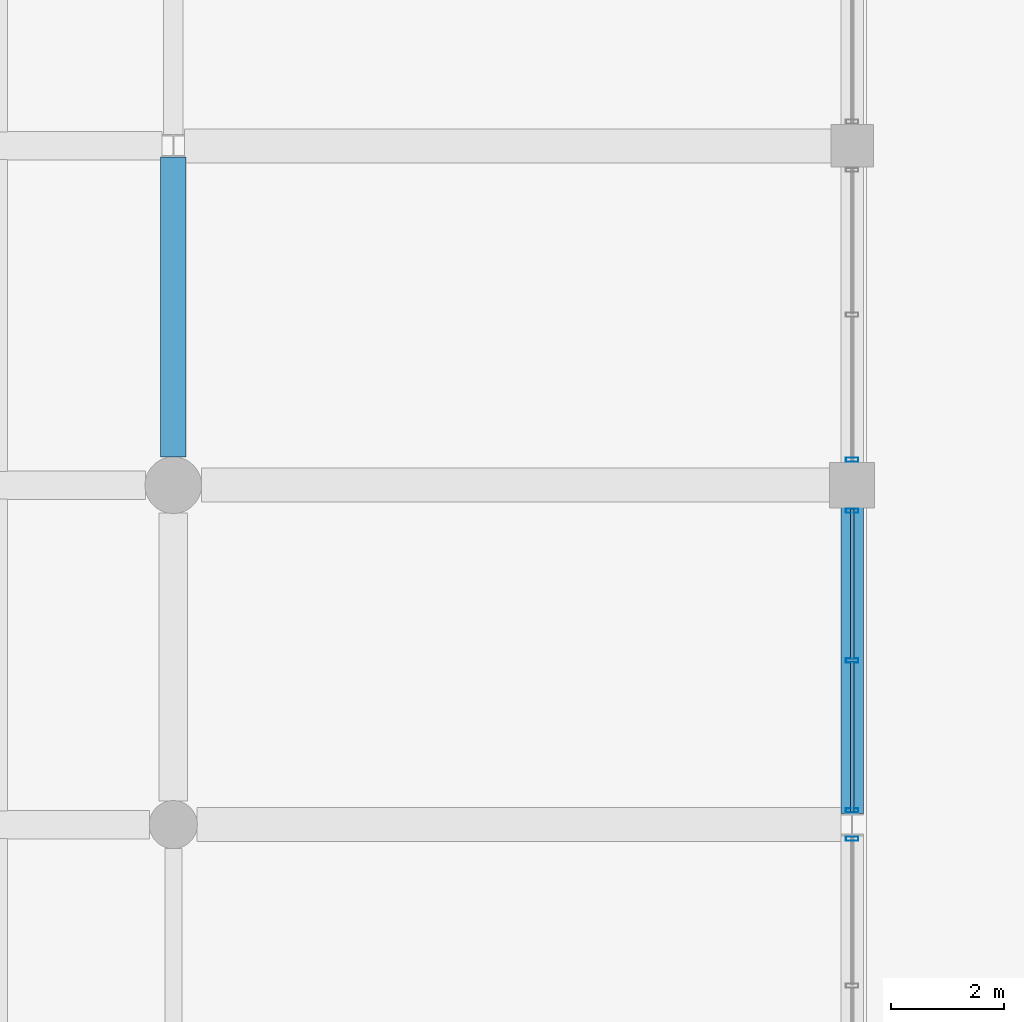
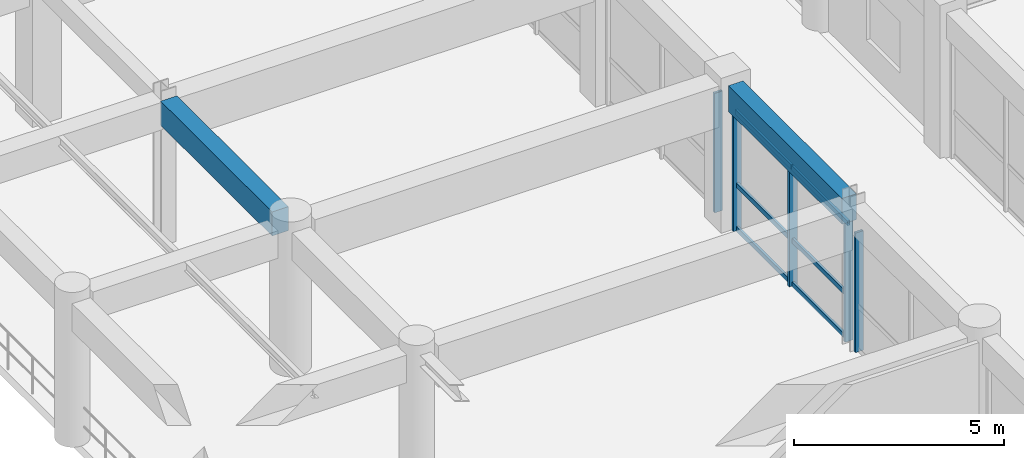
# One storey, part 61 of 133: 11 members, 2 beams, 3 elements without a shape of their own.
"""IFC4 building model written with IfcOpenShell, lengths in metres."""

from ifc_helpers import new_model, si_unit, direction, frame, origin, origin_2d, place, context, subcontext, project, spatial, rectangle, hollow_rectangle, extrude, material, material_profile, profile_set, type_object, element, aggregate, save


model = new_model("IFC4")

# Units and contexts
model_context = context("Model", 3, precision=1e-05, world=origin(), true_north=direction((0.0, 1.0)))
body_context = subcontext(model_context, "Body", "Model", "MODEL_VIEW")
ifc_project = project(units=[si_unit("LENGTHUNIT", "METRE"), si_unit("AREAUNIT", "SQUARE_METRE"), si_unit("VOLUMEUNIT", "CUBIC_METRE"), si_unit("PLANEANGLEUNIT", "RADIAN"), si_unit("MASSUNIT", "GRAM", prefix="KILO"), si_unit("THERMODYNAMICTEMPERATUREUNIT", "KELVIN"), si_unit("POWERUNIT", "WATT")], contexts=[model_context])

# Site, building, storey
site_placement = place(None, origin())
site = spatial("IfcSite", under=ifc_project, at=site_placement, CompositionType="ELEMENT")
building_placement = place(site_placement, origin())
building = spatial("IfcBuilding", under=site, at=building_placement, Name="Phaisarnlok Congress Hotel", CompositionType="ELEMENT")
storey_placement = place(building_placement, frame((0.0, 0.0, 6.0)))
storey = spatial("IfcBuildingStorey", under=building, at=storey_placement, Name="L01", CompositionType="ELEMENT", Elevation=6.0)

# Beam
ifc_material_1 = material(Name="Concrete C40/50", Category="concrete")
ifc_material_profile_1 = material_profile(ifc_material_1, rectangle(XDim=0.449951171875, YDim=0.699951171875, at=origin_2d()), Name="RC 450x700")
ifc_profile_set_1 = profile_set([ifc_material_profile_1], Name="Concrete C40/50")
beam_type_1 = type_object("IfcBeamType", Name="BM-RC-450x700", PredefinedType="BEAM", material=ifc_profile_set_1)
beam_1_placement = place(storey_placement, frame((144.0, 54.4951171875, 3.8701171875), z_axis=(0.0, 1.0, 0.0), x_axis=(-1.0, 0.0, 0.0)))
element("IfcBeam", 1, at=beam_1_placement, inside=storey, type_object=beam_type_1, Name="Beam B-03", PredefinedType="BEAM", context=body_context, shape_type="SweptSolid", body=[
    extrude(rectangle(XDim=0.449951171875, YDim=0.699951171875, at=origin_2d()), origin(), (0.0, 0.0, 1.0), 5.310302734375),
])

# Curtain wall, member
ifc_material_2 = material(Name="Thermally Broken Unitised Aluminium & Low-E Glazing", Category="aluminium")
curtain_wall_type_1 = type_object("IfcCurtainWallType", Name="CW-UNIT-13", PredefinedType="NOTDEFINED", material=ifc_material_2)
curtain_wall_1_placement = place(storey_placement, origin())
curtain_wall_1 = element("IfcCurtainWall", 2, at=curtain_wall_1_placement, inside=storey, type_object=curtain_wall_type_1, Name="Unitised curtain wall CW-13 (L01)", PredefinedType="NOTDEFINED")
ifc_material_3 = material(Name="Anodised Aluminium Alloy 6063-T6", Category="aluminium")
ifc_material_profile_2 = material_profile(ifc_material_3, hollow_rectangle(XDim=0.074951171875, YDim=0.219970703125, WallThickness=0.0048828125, at=origin_2d()), Name="ALU-M 75x220x5")
ifc_profile_set_2 = profile_set([ifc_material_profile_2], Name="Anodised Aluminium Alloy 6063-T6")
member_type_1 = type_object("IfcMemberType", Name="CWM-220", PredefinedType="MULLION", material=ifc_profile_set_2)
member_1_placement = place(storey_placement, frame((156.0, 47.75048828125, 0.0), z_axis=(0.0, 0.0, 1.0), x_axis=(0.0, 1.0, 0.0)))
member_1 = element("IfcMember", 3, at=member_1_placement, type_object=member_type_1, Name="Curtain wall mullion CWM-02", PredefinedType="MULLION", context=body_context, shape_type="SweptSolid", body=[
    extrude(hollow_rectangle(XDim=0.074951171875, YDim=0.219970703125, WallThickness=0.0048828125, at=origin_2d()), origin(), (0.0, 0.0, 1.0), 3.469970703125),
])
aggregate(curtain_wall_1, [member_1])

# Curtain wall, members
curtain_wall_type_2 = type_object("IfcCurtainWallType", Name="CW-UNIT-14", PredefinedType="NOTDEFINED", material=ifc_material_2)
curtain_wall_2_placement = place(storey_placement, origin())
curtain_wall_2 = element("IfcCurtainWall", 4, at=curtain_wall_2_placement, inside=storey, type_object=curtain_wall_type_2, Name="Unitised curtain wall CW-14 (L01)", PredefinedType="NOTDEFINED")
member_2_placement = place(storey_placement, frame((156.0, 48.24951171875, 0.0), z_axis=(0.0, 0.0, 1.0), x_axis=(0.0, 1.0, 0.0)))
member_2 = element("IfcMember", 5, at=member_2_placement, type_object=member_type_1, Name="Curtain wall mullion CWM-02", PredefinedType="MULLION", context=body_context, shape_type="SweptSolid", body=[
    extrude(hollow_rectangle(XDim=0.074951171875, YDim=0.219970703125, WallThickness=0.0048828125, at=origin_2d()), origin(), (0.0, 0.0, 1.0), 3.469970703125),
])
member_3_placement = place(storey_placement, frame((156.0, 50.89990234375, 0.0), z_axis=(0.0, 0.0, 1.0), x_axis=(0.0, 1.0, 0.0)))
member_3 = element("IfcMember", 6, at=member_3_placement, type_object=member_type_1, Name="Curtain wall mullion CWM-02", PredefinedType="MULLION", context=body_context, shape_type="SweptSolid", body=[
    extrude(hollow_rectangle(XDim=0.074951171875, YDim=0.219970703125, WallThickness=0.0048828125, at=origin_2d()), origin(), (0.0, 0.0, 1.0), 3.469970703125),
])
member_4_placement = place(storey_placement, frame((156.0, 53.550048828125, 0.0), z_axis=(0.0, 0.0, 1.0), x_axis=(0.0, 1.0, 0.0)))
member_4 = element("IfcMember", 7, at=member_4_placement, type_object=member_type_1, Name="Curtain wall mullion CWM-02", PredefinedType="MULLION", context=body_context, shape_type="SweptSolid", body=[
    extrude(hollow_rectangle(XDim=0.074951171875, YDim=0.219970703125, WallThickness=0.0048828125, at=origin_2d()), origin(), (0.0, 0.0, 1.0), 3.469970703125),
])

# Curtain wall, member
curtain_wall_type_3 = type_object("IfcCurtainWallType", Name="CW-UNIT-15", PredefinedType="NOTDEFINED", material=ifc_material_2)
curtain_wall_3_placement = place(storey_placement, origin())
curtain_wall_3 = element("IfcCurtainWall", 8, at=curtain_wall_3_placement, inside=storey, type_object=curtain_wall_type_3, Name="Unitised curtain wall CW-15 (L01)", PredefinedType="NOTDEFINED")
member_5_placement = place(storey_placement, frame((156.0, 54.449951171875, 0.0), z_axis=(0.0, 0.0, 1.0), x_axis=(0.0, 1.0, 0.0)))
member_5 = element("IfcMember", 9, at=member_5_placement, type_object=member_type_1, Name="Curtain wall mullion CWM-02", PredefinedType="MULLION", context=body_context, shape_type="SweptSolid", body=[
    extrude(hollow_rectangle(XDim=0.074951171875, YDim=0.219970703125, WallThickness=0.0048828125, at=origin_2d()), origin(), (0.0, 0.0, 1.0), 3.469970703125),
])
aggregate(curtain_wall_3, [member_5])

# Member
ifc_material_profile_3 = material_profile(ifc_material_3, hollow_rectangle(XDim=0.06494140625, YDim=0.139892578125, WallThickness=0.00390625, at=origin_2d()), Name="ALU-T 65x140x4")
ifc_profile_set_3 = profile_set([ifc_material_profile_3], Name="Anodised Aluminium Alloy 6063-T6")
member_type_2 = type_object("IfcMemberType", Name="CWT-150", PredefinedType="USERDEFINED", material=ifc_profile_set_3)
member_6_placement = place(storey_placement, frame((156.0, 48.224609375, 0.050048828125), z_axis=(0.0, 1.0, 0.0), x_axis=(-1.0, 0.0, 0.0)))
member_6 = element("IfcMember", 10, at=member_6_placement, type_object=member_type_2, Name="Curtain wall transom CWT-01", ObjectType="TRANSOM", PredefinedType="USERDEFINED", context=body_context, shape_type="SweptSolid", body=[
    extrude(hollow_rectangle(XDim=0.06494140625, YDim=0.139892578125, WallThickness=0.00390625, at=origin_2d()), origin(), (0.0, 0.0, 1.0), 2.66015625),
])

member_7_placement = place(storey_placement, frame((156.0, 48.224609375, 1.318603515625), z_axis=(0.0, 1.0, 0.0), x_axis=(-1.0, 0.0, 0.0)))
member_7 = element("IfcMember", 11, at=member_7_placement, type_object=member_type_2, Name="Curtain wall transom CWT-01", ObjectType="TRANSOM", PredefinedType="USERDEFINED", context=body_context, shape_type="SweptSolid", body=[
    extrude(hollow_rectangle(XDim=0.06494140625, YDim=0.139892578125, WallThickness=0.00390625, at=origin_2d()), origin(), (0.0, 0.0, 1.0), 2.66015625),
])

member_8_placement = place(storey_placement, frame((156.0, 48.224609375, 3.419921875), z_axis=(0.0, 1.0, 0.0), x_axis=(-1.0, 0.0, 0.0)))
member_8 = element("IfcMember", 12, at=member_8_placement, type_object=member_type_2, Name="Curtain wall transom CWT-01", ObjectType="TRANSOM", PredefinedType="USERDEFINED", context=body_context, shape_type="SweptSolid", body=[
    extrude(hollow_rectangle(XDim=0.06494140625, YDim=0.139892578125, WallThickness=0.00390625, at=origin_2d()), origin(), (0.0, 0.0, 1.0), 2.66015625),
])

member_9_placement = place(storey_placement, frame((156.0, 50.914794921875, 0.050048828125), z_axis=(0.0, 1.0, 0.0), x_axis=(-1.0, 0.0, 0.0)))
member_9 = element("IfcMember", 13, at=member_9_placement, type_object=member_type_2, Name="Curtain wall transom CWT-01", ObjectType="TRANSOM", PredefinedType="USERDEFINED", context=body_context, shape_type="SweptSolid", body=[
    extrude(hollow_rectangle(XDim=0.06494140625, YDim=0.139892578125, WallThickness=0.00390625, at=origin_2d()), origin(), (0.0, 0.0, 1.0), 2.66015625),
])

member_10_placement = place(storey_placement, frame((156.0, 50.914794921875, 1.318603515625), z_axis=(0.0, 1.0, 0.0), x_axis=(-1.0, 0.0, 0.0)))
member_10 = element("IfcMember", 14, at=member_10_placement, type_object=member_type_2, Name="Curtain wall transom CWT-01", ObjectType="TRANSOM", PredefinedType="USERDEFINED", context=body_context, shape_type="SweptSolid", body=[
    extrude(hollow_rectangle(XDim=0.06494140625, YDim=0.139892578125, WallThickness=0.00390625, at=origin_2d()), origin(), (0.0, 0.0, 1.0), 2.66015625),
])

member_11_placement = place(storey_placement, frame((156.0, 50.914794921875, 3.419921875), z_axis=(0.0, 1.0, 0.0), x_axis=(-1.0, 0.0, 0.0)))
member_11 = element("IfcMember", 15, at=member_11_placement, type_object=member_type_2, Name="Curtain wall transom CWT-01", ObjectType="TRANSOM", PredefinedType="USERDEFINED", context=body_context, shape_type="SweptSolid", body=[
    extrude(hollow_rectangle(XDim=0.06494140625, YDim=0.139892578125, WallThickness=0.00390625, at=origin_2d()), origin(), (0.0, 0.0, 1.0), 2.66015625),
])

aggregate(curtain_wall_2, [member_2, member_3, member_4, member_6, member_7, member_8, member_9, member_10, member_11])

# Beam
ifc_material_profile_4 = material_profile(ifc_material_1, rectangle(XDim=0.39990234375, YDim=0.75, at=origin_2d()), Name="RC 400x750")
ifc_profile_set_4 = profile_set([ifc_material_profile_4], Name="Concrete C40/50")
beam_type_2 = type_object("IfcBeamType", Name="SP-RC-400x750", PredefinedType="SPANDREL", material=ifc_profile_set_4)
beam_2_placement = place(storey_placement, frame((156.0, 48.194580078125, 3.844970703125), z_axis=(0.0, 1.0, 0.0), x_axis=(-1.0, 0.0, 0.0)))
element("IfcBeam", 16, at=beam_2_placement, inside=storey, type_object=beam_type_2, Name="Beam SP-02", PredefinedType="SPANDREL", context=body_context, shape_type="SweptSolid", body=[
    extrude(rectangle(XDim=0.39990234375, YDim=0.75, at=origin_2d()), origin(), (0.0, 0.0, 1.0), 5.410400390625),
])

save(model, "model.ifc")
